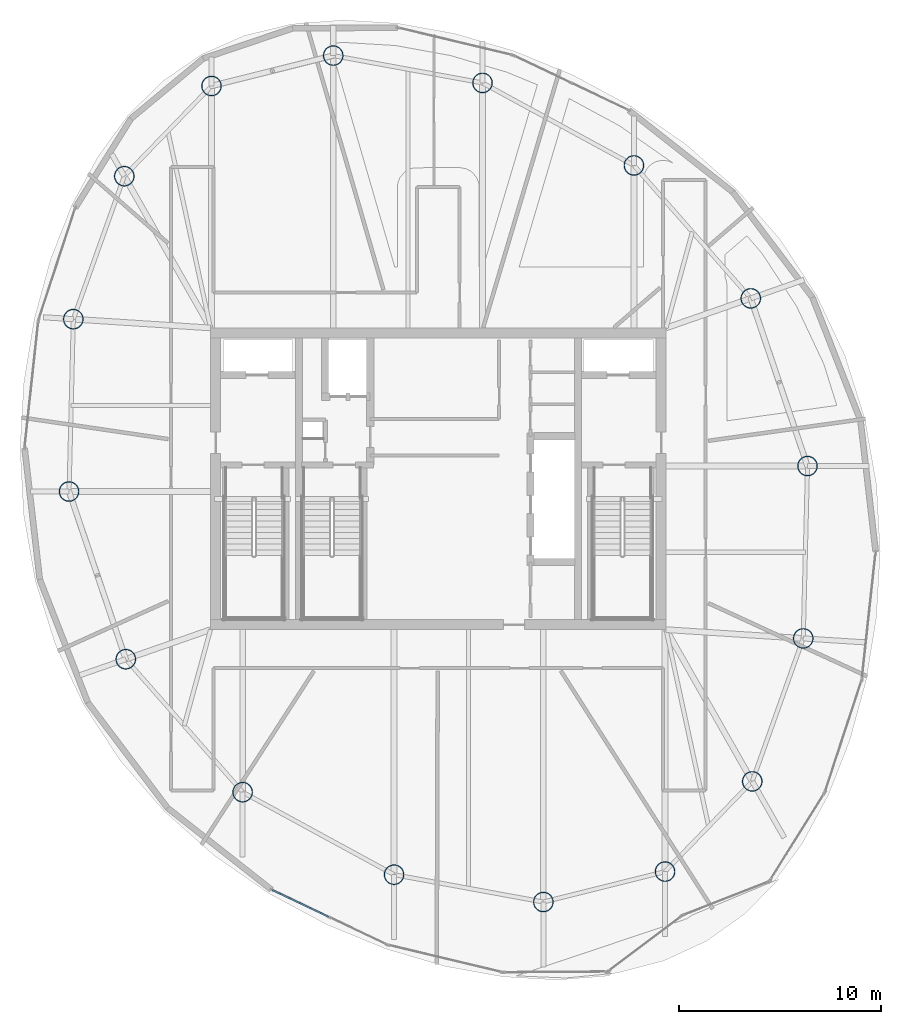
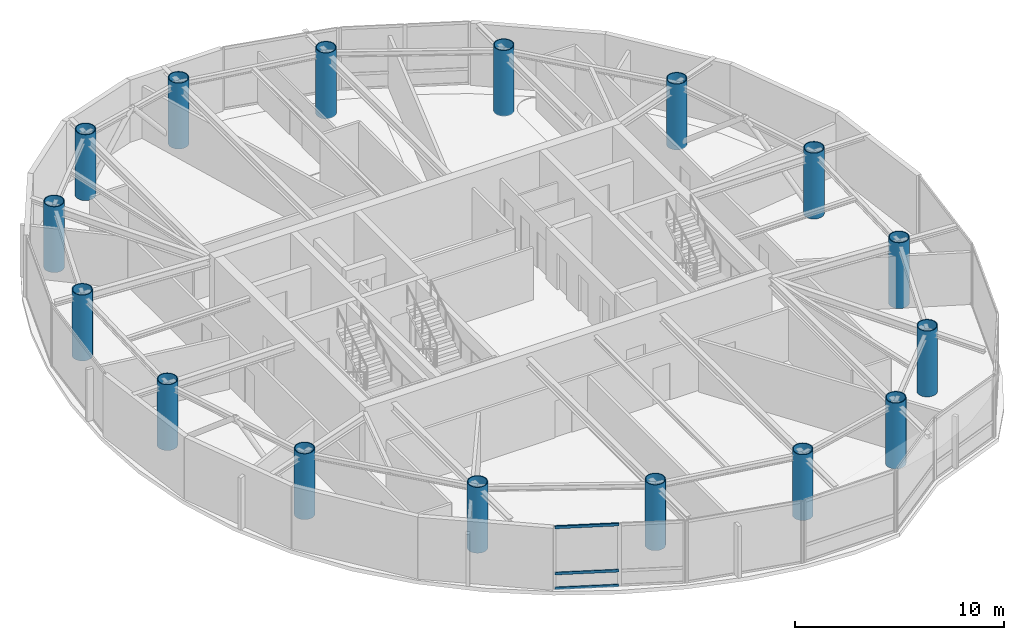
# One storey, part 1 of 20: 16 columns, 3 members, 1 element without a shape of its own.
"""IFC4 building model written with IfcOpenShell, lengths in metres."""

from ifc_helpers import new_model, si_unit, direction, frame, origin, origin_2d, place, context, subcontext, project, spatial, hollow_rectangle, hollow_circle, extrude, material, layer, layer_set, material_profile, profile_set, type_object, element, aggregate, save


model = new_model("IFC4")

# Units and contexts
model_context = context("Model", 3, precision=1e-05, world=origin(), true_north=direction((0.0, 1.0)))
body_context = subcontext(model_context, "Body", "Model", "MODEL_VIEW")
ifc_project = project(units=[si_unit("LENGTHUNIT", "METRE"), si_unit("AREAUNIT", "SQUARE_METRE"), si_unit("VOLUMEUNIT", "CUBIC_METRE"), si_unit("PLANEANGLEUNIT", "RADIAN"), si_unit("MASSUNIT", "GRAM", prefix="KILO")], contexts=[model_context])

# Site, building, storey
site_placement = place(None, origin())
site = spatial("IfcSite", under=ifc_project, at=site_placement, CompositionType="ELEMENT")
building_placement = place(site_placement, origin())
building = spatial("IfcBuilding", under=site, at=building_placement, Name="Bramvorn Convention Spire", CompositionType="ELEMENT")
storey_placement = place(building_placement, frame((0.0, 0.0, 276.699951171875)))
storey = spatial("IfcBuildingStorey", under=building, at=storey_placement, Name="L70", CompositionType="ELEMENT", Elevation=276.699951171875)

# Columns
ifc_material_1 = material(Name="Steel CSA G40.21 Grade 350 (350W)", Category="steel")
ifc_material_profile_1 = material_profile(ifc_material_1, hollow_circle(Radius=0.5, WallThickness=0.044921875, at=origin_2d()))
ifc_profile_set_1 = profile_set([ifc_material_profile_1], Name="Steel CSA G40.21 Grade 350 (350W) - CFT1000X45")
column_type = type_object("IfcColumnType", Name="COL-CFT1000X45", PredefinedType="COLUMN", material=ifc_profile_set_1)
for number, where, z_axis, x_axis, name in (
    (1, (49.199951171875, 6.60107421875, 0.0), (0.0, 0.0, 1.0), (1.0, 0.0, 0.0), "L70 composite CFT mega-column MC01"),
    (2, (53.50634765625, 11.05615234375, 0.0), (0.0, 0.0, 1.0), (1.0, 0.0, 0.0), "L70 composite CFT mega-column MC02"),
    (3, (56.023681640625, 18.116455078125, 0.0), (0.0, 0.0, 1.0), (1.0, 0.0, 0.0), "L70 composite CFT mega-column MC03"),
    (4, (56.234619140625, 26.62939453125, 0.0), (0.0, 0.0, 1.0), (1.0, 0.0, 0.0), "L70 composite CFT mega-column MC04"),
    (5, (53.4326171875, 34.909912109375, 0.0), (0.0, 0.0, 1.0), (1.0, 0.0, 0.0), "L70 composite CFT mega-column MC05"),
    (6, (47.662353515625, 41.476806640625, 0.0), (0.0, 0.0, 1.0), (1.0, 0.0, 0.0), "L70 composite CFT mega-column MC06"),
    (7, (40.1845703125, 45.55078125, 0.0), (0.0, 0.0, 1.0), (1.0, 0.0, 0.0), "L70 composite CFT mega-column MC07"),
    (8, (32.8115234375, 46.90087890625, 0.0), (0.0, 0.0, 1.0), (1.0, 0.0, 0.0), "L70 composite CFT mega-column MC08"),
    (9, (26.800048828125, 45.39892578125, 0.0), (0.0, 0.0, 1.0), (1.0, 0.0, 0.0), "L70 composite CFT mega-column MC09"),
    (10, (22.49365234375, 40.94384765625, 0.0), (0.0, 0.0, 1.0), (1.0, 0.0, 0.0), "L70 composite CFT mega-column MC10"),
    (11, (19.976318359375, 33.883544921875, 0.0), (0.0, 0.0, 1.0), (1.0, 0.0, 0.0), "L70 composite CFT mega-column MC11"),
    (12, (19.765380859375, 25.37060546875, 0.0), (0.0, 0.0, 1.0), (1.0, 0.0, 0.0), "L70 composite CFT mega-column MC12"),
    (13, (22.5673828125, 17.090087890625, 0.0), (0.0, 0.0, 1.0), (1.0, 0.0, 0.0), "L70 composite CFT mega-column MC13"),
    (14, (28.337646484375, 10.523193359375, 0.0), (0.0, 0.0, 1.0), (1.0, 0.0, 0.0), "L70 composite CFT mega-column MC14"),
    (15, (35.8154296875, 6.44921875, 0.0), (0.0, 0.0, 1.0), (1.0, 0.0, 0.0), "L70 composite CFT mega-column MC15"),
    (16, (43.1884765625, 5.09912109375, 0.0), (0.0, 0.0, 1.0), (1.0, 0.0, 0.0), "L70 composite CFT mega-column MC16"),
):
    element("IfcColumn", number, at=place(storey_placement, frame(where, z_axis=z_axis, x_axis=x_axis)), inside=storey, type_object=column_type, Name=name, PredefinedType="COLUMN", context=body_context, shape_type="SweptSolid", body=[
        extrude(hollow_circle(Radius=0.5, WallThickness=0.044921875, at=origin_2d()), origin(), (0.0, 0.0, 1.0), 3.85009765625),
    ])

# Curtain wall, members
ifc_material_2 = material(Name="Anodised Bronze Unitised Curtain Wall", Category="aluminium")
ifc_layer = layer(ifc_material_2, 0.179931640625)
ifc_layer_set = layer_set([ifc_layer], Name="Anodised Bronze Unitised Curtain Wall - CW-OFF-FRIT")
curtain_wall_type = type_object("IfcCurtainWallType", Name="CW-OFF-FRIT", PredefinedType="USERDEFINED", material=ifc_layer_set)
curtain_wall_placement = place(storey_placement, origin())
curtain_wall = element("IfcCurtainWall", 17, at=curtain_wall_placement, inside=storey, type_object=curtain_wall_type, Name="L70 fritted glass curtain wall 21", ObjectType="UNITISED CURTAIN WALL", PredefinedType="USERDEFINED")
ifc_material_3 = material(Name="Anodised Bronze Aluminium 6063-T6", Category="aluminium")
ifc_material_profile_2 = material_profile(ifc_material_3, hollow_rectangle(XDim=0.080078125, YDim=0.159912109375, WallThickness=0.00390625, InnerFilletRadius=0.0009765625, OuterFilletRadius=0.00390625, at=origin_2d()))
ifc_profile_set_2 = profile_set([ifc_material_profile_2], Name="Anodised Bronze Aluminium 6063-T6 - CWT80X160")
member_type = type_object("IfcMemberType", Name="CW-TRN-150", PredefinedType="USERDEFINED", material=ifc_profile_set_2)
member_1_placement = place(storey_placement, frame((32.594970703125, 4.36083984375, 0.030029296875), z_axis=(-0.903182330581, 0.429257123093, 0.0), x_axis=(-0.429257123093, -0.903182330581, 0.0)))
member_1 = element("IfcMember", 18, at=member_1_placement, type_object=member_type, Name="CW3 transom 2.1", ObjectType="TRANSOM", PredefinedType="USERDEFINED", context=body_context, shape_type="SweptSolid", body=[
    extrude(hollow_rectangle(XDim=0.080078125, YDim=0.159912109375, WallThickness=0.00390625, InnerFilletRadius=0.0009765625, OuterFilletRadius=0.00390625, at=origin_2d()), origin(), (0.0, 0.0, 1.0), 3.08251953125),
])
member_2_placement = place(storey_placement, frame((32.594970703125, 4.36083984375, 0.900146484375), z_axis=(-0.903182330581, 0.429257123093, 0.0), x_axis=(-0.429257123093, -0.903182330581, 0.0)))
member_2 = element("IfcMember", 19, at=member_2_placement, type_object=member_type, Name="CW3 transom 2.2", ObjectType="TRANSOM", PredefinedType="USERDEFINED", context=body_context, shape_type="SweptSolid", body=[
    extrude(hollow_rectangle(XDim=0.080078125, YDim=0.159912109375, WallThickness=0.00390625, InnerFilletRadius=0.0009765625, OuterFilletRadius=0.00390625, at=origin_2d()), origin(), (0.0, 0.0, 1.0), 3.08251953125),
])
member_3_placement = place(storey_placement, frame((32.594970703125, 4.36083984375, 3.594970703125), z_axis=(-0.903182330581, 0.429257123093, 0.0), x_axis=(-0.429257123093, -0.903182330581, 0.0)))
member_3 = element("IfcMember", 20, at=member_3_placement, type_object=member_type, Name="CW3 transom 2.3", ObjectType="TRANSOM", PredefinedType="USERDEFINED", context=body_context, shape_type="SweptSolid", body=[
    extrude(hollow_rectangle(XDim=0.080078125, YDim=0.159912109375, WallThickness=0.00390625, InnerFilletRadius=0.0009765625, OuterFilletRadius=0.00390625, at=origin_2d()), origin(), (0.0, 0.0, 1.0), 3.08251953125),
])
aggregate(curtain_wall, [member_1, member_2, member_3])

save(model, "model.ifc")
